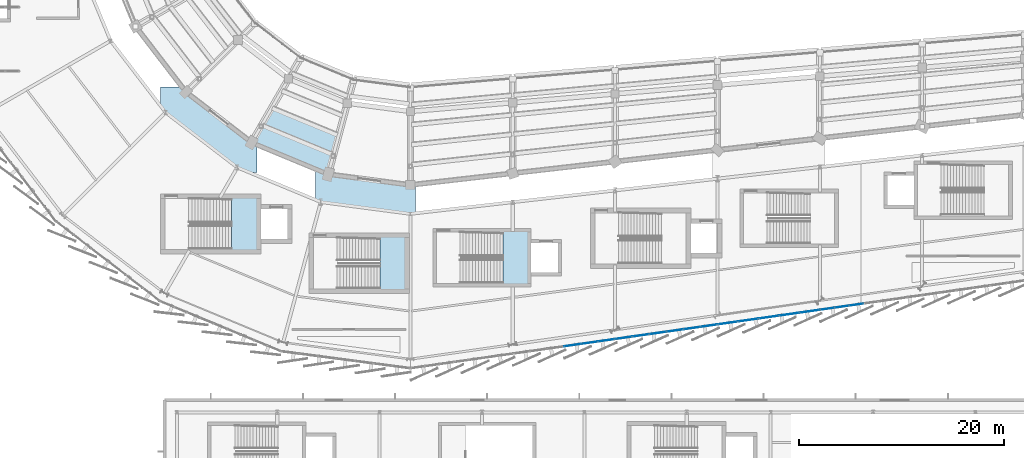
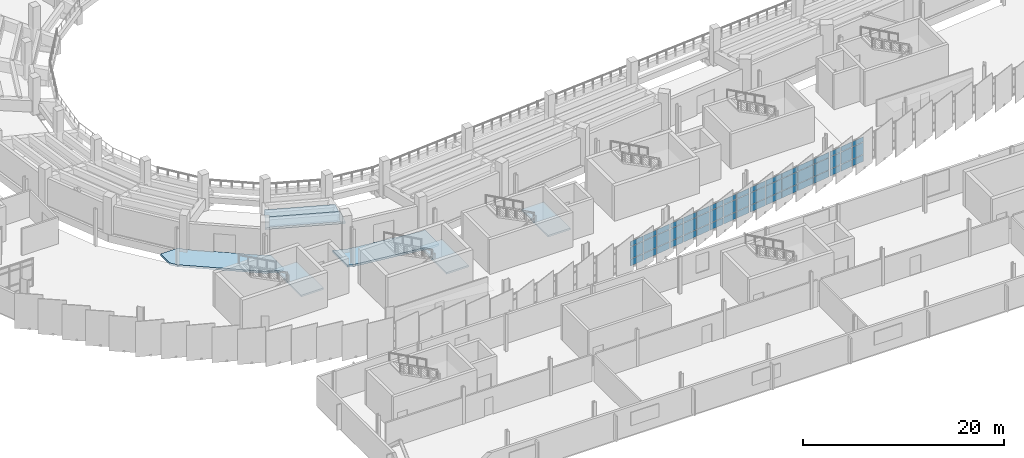
# One storey, part 80 of 120: 51 plates, 7 slabs, 7 elements without a shape of their own.
"""IFC4 building model written with IfcOpenShell, lengths in metres."""

from ifc_helpers import new_model, si_unit, direction, frame, origin, origin_2d, place, context, subcontext, project, spatial, polyline, rectangle, outline, extrude, material, layer, layer_set, type_object, element, aggregate, save


model = new_model("IFC4")

# Units and contexts
model_context = context("Model", 3, precision=1e-05, world=origin(), true_north=direction((0.0, 1.0)))
body_context = subcontext(model_context, "Body", "Model", "MODEL_VIEW")
ifc_project = project(units=[si_unit("LENGTHUNIT", "METRE"), si_unit("AREAUNIT", "SQUARE_METRE"), si_unit("VOLUMEUNIT", "CUBIC_METRE"), si_unit("PLANEANGLEUNIT", "RADIAN"), si_unit("MASSUNIT", "GRAM", prefix="KILO")], contexts=[model_context])

# Site, building, storey
site_placement = place(None, origin())
site = spatial("IfcSite", under=ifc_project, at=site_placement, CompositionType="ELEMENT")
building_placement = place(site_placement, origin())
building = spatial("IfcBuilding", under=site, at=building_placement, Name="Sohan Crest Arena", CompositionType="ELEMENT")
storey_placement = place(building_placement, frame((0.0, 0.0, 13.5)))
storey = spatial("IfcBuildingStorey", under=building, at=storey_placement, Name="L03", CompositionType="ELEMENT", Elevation=13.5)

# Curtain wall, plates
ifc_material_1 = material(Name="Thermally broken anodised aluminium", Category="aluminium")
ifc_layer_1 = layer(ifc_material_1, 0.18994140625, Name="Thermally broken anodised aluminium")
ifc_layer_set_1 = layer_set([ifc_layer_1], Name="Thermally broken anodised aluminium")
curtain_wall_type_1 = type_object("IfcCurtainWallType", Name="ARC-CW05", PredefinedType="NOTDEFINED", material=ifc_layer_set_1)
curtain_wall_1_placement = place(storey_placement, origin())
curtain_wall_1 = element("IfcCurtainWall", 1, at=curtain_wall_1_placement, inside=storey, type_object=curtain_wall_type_1, Name="Unitised curtain wall CW-094", PredefinedType="NOTDEFINED")
ifc_material_2 = material(Name="Low-E double-glazed insulated glass", Category="glass")
ifc_layer_2 = layer(ifc_material_2, 0.028076171875, Name="Low-E double-glazed insulated glass")
ifc_layer_set_2 = layer_set([ifc_layer_2], Name="Low-E double-glazed insulated glass")
plate_type_1 = type_object("IfcPlateType", Name="ARC-CNP01", PredefinedType="CURTAIN_PANEL", material=ifc_layer_set_2)
plate_1_placement = place(storey_placement, frame((138.729248046875, 34.918212890625, 0.06494140625), z_axis=(0.0, 0.0, 1.0), x_axis=(0.989943553128, 0.141462933734, 0.0)))
plate_1 = element("IfcPlate", 2, at=plate_1_placement, type_object=plate_type_1, Name="CW-094 panel 1.1", PredefinedType="CURTAIN_PANEL", context=body_context, shape_type="SweptSolid", body=[
    extrude(rectangle(XDim=1.35302734375, YDim=0.028076171875, at=origin_2d()), origin(), (0.0, 0.0, 1.0), 0.802490234375),
])
plate_2_placement = place(storey_placement, frame((138.729248046875, 34.918212890625, 0.932373046875), z_axis=(0.0, 0.0, 1.0), x_axis=(0.989943553128, 0.141462933734, 0.0)))
plate_2 = element("IfcPlate", 3, at=plate_2_placement, type_object=plate_type_1, Name="CW-094 panel 1.2", PredefinedType="CURTAIN_PANEL", context=body_context, shape_type="SweptSolid", body=[
    extrude(rectangle(XDim=1.35302734375, YDim=0.028076171875, at=origin_2d()), origin(), (0.0, 0.0, 1.0), 1.455078125),
])
plate_3_placement = place(storey_placement, frame((138.729248046875, 34.918212890625, 2.452392578125), z_axis=(0.0, 0.0, 1.0), x_axis=(0.989943553128, 0.141462933734, 0.0)))
plate_3 = element("IfcPlate", 4, at=plate_3_placement, type_object=plate_type_1, Name="CW-094 panel 1.3", PredefinedType="CURTAIN_PANEL", context=body_context, shape_type="SweptSolid", body=[
    extrude(rectangle(XDim=1.35302734375, YDim=0.028076171875, at=origin_2d()), origin(), (0.0, 0.0, 1.0), 0.6025390625),
])
plate_4_placement = place(storey_placement, frame((140.142822265625, 35.1201171875, 0.06494140625), z_axis=(0.0, 0.0, 1.0), x_axis=(0.989943553128, 0.141462933734, 0.0)))
plate_4 = element("IfcPlate", 5, at=plate_4_placement, type_object=plate_type_1, Name="CW-094 panel 2.1", PredefinedType="CURTAIN_PANEL", context=body_context, shape_type="SweptSolid", body=[
    extrude(rectangle(XDim=1.383056640625, YDim=0.028076171875, at=origin_2d()), origin(), (0.0, 0.0, 1.0), 0.802490234375),
])
plate_5_placement = place(storey_placement, frame((140.142822265625, 35.1201171875, 0.932373046875), z_axis=(0.0, 0.0, 1.0), x_axis=(0.989943553128, 0.141462933734, 0.0)))
plate_5 = element("IfcPlate", 6, at=plate_5_placement, type_object=plate_type_1, Name="CW-094 panel 2.2", PredefinedType="CURTAIN_PANEL", context=body_context, shape_type="SweptSolid", body=[
    extrude(rectangle(XDim=1.383056640625, YDim=0.028076171875, at=origin_2d()), origin(), (0.0, 0.0, 1.0), 1.455078125),
])
plate_6_placement = place(storey_placement, frame((140.142822265625, 35.1201171875, 2.452392578125), z_axis=(0.0, 0.0, 1.0), x_axis=(0.989943553128, 0.141462933734, 0.0)))
plate_6 = element("IfcPlate", 7, at=plate_6_placement, type_object=plate_type_1, Name="CW-094 panel 2.3", PredefinedType="CURTAIN_PANEL", context=body_context, shape_type="SweptSolid", body=[
    extrude(rectangle(XDim=1.383056640625, YDim=0.028076171875, at=origin_2d()), origin(), (0.0, 0.0, 1.0), 0.6025390625),
])
plate_7_placement = place(storey_placement, frame((141.571533203125, 35.324462890625, 0.06494140625), z_axis=(0.0, 0.0, 1.0), x_axis=(0.989943553128, 0.141462933734, 0.0)))
plate_7 = element("IfcPlate", 8, at=plate_7_placement, type_object=plate_type_1, Name="CW-094 panel 3.1", PredefinedType="CURTAIN_PANEL", context=body_context, shape_type="SweptSolid", body=[
    extrude(rectangle(XDim=1.383056640625, YDim=0.028076171875, at=origin_2d()), origin(), (0.0, 0.0, 1.0), 0.802490234375),
])
plate_8_placement = place(storey_placement, frame((141.571533203125, 35.324462890625, 0.932373046875), z_axis=(0.0, 0.0, 1.0), x_axis=(0.989943553128, 0.141462933734, 0.0)))
plate_8 = element("IfcPlate", 9, at=plate_8_placement, type_object=plate_type_1, Name="CW-094 panel 3.2", PredefinedType="CURTAIN_PANEL", context=body_context, shape_type="SweptSolid", body=[
    extrude(rectangle(XDim=1.383056640625, YDim=0.028076171875, at=origin_2d()), origin(), (0.0, 0.0, 1.0), 1.455078125),
])
plate_9_placement = place(storey_placement, frame((141.571533203125, 35.324462890625, 2.452392578125), z_axis=(0.0, 0.0, 1.0), x_axis=(0.989943553128, 0.141462933734, 0.0)))
plate_9 = element("IfcPlate", 10, at=plate_9_placement, type_object=plate_type_1, Name="CW-094 panel 3.3", PredefinedType="CURTAIN_PANEL", context=body_context, shape_type="SweptSolid", body=[
    extrude(rectangle(XDim=1.383056640625, YDim=0.028076171875, at=origin_2d()), origin(), (0.0, 0.0, 1.0), 0.6025390625),
])
aggregate(curtain_wall_1, [plate_1, plate_2, plate_3, plate_4, plate_5, plate_6, plate_7, plate_8, plate_9])

ifc_layer_3 = layer(ifc_material_1, 0.199951171875, Name="Thermally broken anodised aluminium")
ifc_layer_set_3 = layer_set([ifc_layer_3], Name="Thermally broken anodised aluminium")
curtain_wall_type_2 = type_object("IfcCurtainWallType", Name="ARC-CW02", PredefinedType="NOTDEFINED", material=ifc_layer_set_3)
curtain_wall_2_placement = place(storey_placement, origin())
curtain_wall_2 = element("IfcCurtainWall", 11, at=curtain_wall_2_placement, inside=storey, type_object=curtain_wall_type_2, Name="Unitised curtain wall CW-091", PredefinedType="NOTDEFINED")
ifc_layer_4 = layer(ifc_material_2, 0.031982421875, Name="Low-E double-glazed insulated glass")
ifc_layer_set_4 = layer_set([ifc_layer_4], Name="Low-E double-glazed insulated glass")
plate_type_2 = type_object("IfcPlateType", Name="ARC-CNP02", PredefinedType="CURTAIN_PANEL", material=ifc_layer_set_4)
plate_10_placement = place(storey_placement, frame((113.833251953125, 31.362060546875, 0.06494140625), z_axis=(0.0, 0.0, 1.0), x_axis=(0.989957411768, 0.141365918403, 0.0)))
plate_10 = element("IfcPlate", 12, at=plate_10_placement, type_object=plate_type_2, Name="CW-091 panel 4.1", PredefinedType="CURTAIN_PANEL", context=body_context, shape_type="SweptSolid", body=[
    extrude(rectangle(XDim=1.61865234375, YDim=0.031982421875, at=origin_2d()), origin(), (0.0, 0.0, 1.0), 0.802490234375),
])
plate_11_placement = place(storey_placement, frame((113.833251953125, 31.362060546875, 0.932373046875), z_axis=(0.0, 0.0, 1.0), x_axis=(0.989957411768, 0.141365918403, 0.0)))
plate_11 = element("IfcPlate", 13, at=plate_11_placement, type_object=plate_type_2, Name="CW-091 panel 4.2", PredefinedType="CURTAIN_PANEL", context=body_context, shape_type="SweptSolid", body=[
    extrude(rectangle(XDim=1.61865234375, YDim=0.031982421875, at=origin_2d()), origin(), (0.0, 0.0, 1.0), 1.455078125),
])
plate_12_placement = place(storey_placement, frame((113.833251953125, 31.362060546875, 2.452392578125), z_axis=(0.0, 0.0, 1.0), x_axis=(0.989957411768, 0.141365918403, 0.0)))
plate_12 = element("IfcPlate", 14, at=plate_12_placement, type_object=plate_type_2, Name="CW-091 panel 4.3", PredefinedType="CURTAIN_PANEL", context=body_context, shape_type="SweptSolid", body=[
    extrude(rectangle(XDim=1.61865234375, YDim=0.031982421875, at=origin_2d()), origin(), (0.0, 0.0, 1.0), 0.6025390625),
])
plate_13_placement = place(storey_placement, frame((115.5, 31.60009765625, 0.06494140625), z_axis=(0.0, 0.0, 1.0), x_axis=(0.989957411768, 0.141365918403, 0.0)))
plate_13 = element("IfcPlate", 15, at=plate_13_placement, type_object=plate_type_2, Name="CW-091 panel 5.1", PredefinedType="CURTAIN_PANEL", context=body_context, shape_type="SweptSolid", body=[
    extrude(rectangle(XDim=1.61865234375, YDim=0.031982421875, at=origin_2d()), origin(), (0.0, 0.0, 1.0), 0.802490234375),
])
plate_14_placement = place(storey_placement, frame((115.5, 31.60009765625, 0.932373046875), z_axis=(0.0, 0.0, 1.0), x_axis=(0.989957411768, 0.141365918403, 0.0)))
plate_14 = element("IfcPlate", 16, at=plate_14_placement, type_object=plate_type_2, Name="CW-091 panel 5.2", PredefinedType="CURTAIN_PANEL", context=body_context, shape_type="SweptSolid", body=[
    extrude(rectangle(XDim=1.61865234375, YDim=0.031982421875, at=origin_2d()), origin(), (0.0, 0.0, 1.0), 1.455078125),
])
plate_15_placement = place(storey_placement, frame((115.5, 31.60009765625, 2.452392578125), z_axis=(0.0, 0.0, 1.0), x_axis=(0.989957411768, 0.141365918403, 0.0)))
plate_15 = element("IfcPlate", 17, at=plate_15_placement, type_object=plate_type_2, Name="CW-091 panel 5.3", PredefinedType="CURTAIN_PANEL", context=body_context, shape_type="SweptSolid", body=[
    extrude(rectangle(XDim=1.61865234375, YDim=0.031982421875, at=origin_2d()), origin(), (0.0, 0.0, 1.0), 0.6025390625),
])
plate_16_placement = place(storey_placement, frame((117.150634765625, 31.835693359375, 0.06494140625), z_axis=(0.0, 0.0, 1.0), x_axis=(0.989957411768, 0.141365918403, 0.0)))
plate_16 = element("IfcPlate", 18, at=plate_16_placement, type_object=plate_type_2, Name="CW-091 panel 6.1", PredefinedType="CURTAIN_PANEL", context=body_context, shape_type="SweptSolid", body=[
    extrude(rectangle(XDim=1.586181640625, YDim=0.031982421875, at=origin_2d()), origin(), (0.0, 0.0, 1.0), 0.802490234375),
])
plate_17_placement = place(storey_placement, frame((117.150634765625, 31.835693359375, 0.932373046875), z_axis=(0.0, 0.0, 1.0), x_axis=(0.989957411768, 0.141365918403, 0.0)))
plate_17 = element("IfcPlate", 19, at=plate_17_placement, type_object=plate_type_2, Name="CW-091 panel 6.2", PredefinedType="CURTAIN_PANEL", context=body_context, shape_type="SweptSolid", body=[
    extrude(rectangle(XDim=1.586181640625, YDim=0.031982421875, at=origin_2d()), origin(), (0.0, 0.0, 1.0), 1.455078125),
])
plate_18_placement = place(storey_placement, frame((117.150634765625, 31.835693359375, 2.452392578125), z_axis=(0.0, 0.0, 1.0), x_axis=(0.989957411768, 0.141365918403, 0.0)))
plate_18 = element("IfcPlate", 20, at=plate_18_placement, type_object=plate_type_2, Name="CW-091 panel 6.3", PredefinedType="CURTAIN_PANEL", context=body_context, shape_type="SweptSolid", body=[
    extrude(rectangle(XDim=1.586181640625, YDim=0.031982421875, at=origin_2d()), origin(), (0.0, 0.0, 1.0), 0.6025390625),
])
aggregate(curtain_wall_2, [plate_10, plate_11, plate_12, plate_13, plate_14, plate_15, plate_16, plate_17, plate_18])

ifc_layer_5 = layer(ifc_material_1, 0.219970703125, Name="Thermally broken anodised aluminium")
ifc_layer_set_5 = layer_set([ifc_layer_5], Name="Thermally broken anodised aluminium")
curtain_wall_type_3 = type_object("IfcCurtainWallType", Name="ARC-CW03", PredefinedType="NOTDEFINED", material=ifc_layer_set_5)
curtain_wall_3_placement = place(storey_placement, origin())
curtain_wall_3 = element("IfcCurtainWall", 21, at=curtain_wall_3_placement, inside=storey, type_object=curtain_wall_type_3, Name="Unitised curtain wall CW-092", PredefinedType="NOTDEFINED")
ifc_material_3 = material(Name="Ceramic-fritted solar-control insulated glass", Category="glass")
ifc_layer_6 = layer(ifc_material_3, 0.035888671875, Name="Ceramic-fritted solar-control insulated glass")
ifc_layer_set_6 = layer_set([ifc_layer_6], Name="Ceramic-fritted solar-control insulated glass")
plate_type_3 = type_object("IfcPlateType", Name="ARC-CNP03", PredefinedType="CURTAIN_PANEL", material=ifc_layer_set_6)
plate_19_placement = place(storey_placement, frame((118.8505859375, 32.07861328125, 0.070068359375), z_axis=(0.0, 0.0, 1.0), x_axis=(0.989943553128, 0.141462933734, 0.0)))
plate_19 = element("IfcPlate", 22, at=plate_19_placement, type_object=plate_type_3, Name="CW-092 panel 1.1", PredefinedType="CURTAIN_PANEL", context=body_context, shape_type="SweptSolid", body=[
    extrude(rectangle(XDim=1.57861328125, YDim=0.035888671875, at=origin_2d()), origin(), (0.0, 0.0, 1.0), 0.794921875),
])
plate_20_placement = place(storey_placement, frame((118.8505859375, 32.07861328125, 0.93505859375), z_axis=(0.0, 0.0, 1.0), x_axis=(0.989943553128, 0.141462933734, 0.0)))
plate_20 = element("IfcPlate", 23, at=plate_20_placement, type_object=plate_type_3, Name="CW-092 panel 1.2", PredefinedType="CURTAIN_PANEL", context=body_context, shape_type="SweptSolid", body=[
    extrude(rectangle(XDim=1.57861328125, YDim=0.035888671875, at=origin_2d()), origin(), (0.0, 0.0, 1.0), 1.449951171875),
])
plate_21_placement = place(storey_placement, frame((118.8505859375, 32.07861328125, 2.455078125), z_axis=(0.0, 0.0, 1.0), x_axis=(0.989943553128, 0.141462933734, 0.0)))
plate_21 = element("IfcPlate", 24, at=plate_21_placement, type_object=plate_type_3, Name="CW-092 panel 1.3", PredefinedType="CURTAIN_PANEL", context=body_context, shape_type="SweptSolid", body=[
    extrude(rectangle(XDim=1.57861328125, YDim=0.035888671875, at=origin_2d()), origin(), (0.0, 0.0, 1.0), 0.594970703125),
])
plate_22_placement = place(storey_placement, frame((120.5, 32.314208984375, 0.070068359375), z_axis=(0.0, 0.0, 1.0), x_axis=(0.989943553128, 0.141462933734, 0.0)))
plate_22 = element("IfcPlate", 25, at=plate_22_placement, type_object=plate_type_3, Name="CW-092 panel 2.1", PredefinedType="CURTAIN_PANEL", context=body_context, shape_type="SweptSolid", body=[
    extrude(rectangle(XDim=1.613525390625, YDim=0.035888671875, at=origin_2d()), origin(), (0.0, 0.0, 1.0), 0.794921875),
])
plate_23_placement = place(storey_placement, frame((120.5, 32.314208984375, 0.93505859375), z_axis=(0.0, 0.0, 1.0), x_axis=(0.989943553128, 0.141462933734, 0.0)))
plate_23 = element("IfcPlate", 26, at=plate_23_placement, type_object=plate_type_3, Name="CW-092 panel 2.2", PredefinedType="CURTAIN_PANEL", context=body_context, shape_type="SweptSolid", body=[
    extrude(rectangle(XDim=1.613525390625, YDim=0.035888671875, at=origin_2d()), origin(), (0.0, 0.0, 1.0), 1.449951171875),
])
plate_24_placement = place(storey_placement, frame((120.5, 32.314208984375, 2.455078125), z_axis=(0.0, 0.0, 1.0), x_axis=(0.989943553128, 0.141462933734, 0.0)))
plate_24 = element("IfcPlate", 27, at=plate_24_placement, type_object=plate_type_3, Name="CW-092 panel 2.3", PredefinedType="CURTAIN_PANEL", context=body_context, shape_type="SweptSolid", body=[
    extrude(rectangle(XDim=1.613525390625, YDim=0.035888671875, at=origin_2d()), origin(), (0.0, 0.0, 1.0), 0.594970703125),
])
plate_25_placement = place(storey_placement, frame((122.166748046875, 32.552490234375, 0.070068359375), z_axis=(0.0, 0.0, 1.0), x_axis=(0.989943553128, 0.141462933734, 0.0)))
plate_25 = element("IfcPlate", 28, at=plate_25_placement, type_object=plate_type_3, Name="CW-092 panel 3.1", PredefinedType="CURTAIN_PANEL", context=body_context, shape_type="SweptSolid", body=[
    extrude(rectangle(XDim=1.613525390625, YDim=0.035888671875, at=origin_2d()), origin(), (0.0, 0.0, 1.0), 0.794921875),
])
plate_26_placement = place(storey_placement, frame((122.166748046875, 32.552490234375, 0.93505859375), z_axis=(0.0, 0.0, 1.0), x_axis=(0.989943553128, 0.141462933734, 0.0)))
plate_26 = element("IfcPlate", 29, at=plate_26_placement, type_object=plate_type_3, Name="CW-092 panel 3.2", PredefinedType="CURTAIN_PANEL", context=body_context, shape_type="SweptSolid", body=[
    extrude(rectangle(XDim=1.613525390625, YDim=0.035888671875, at=origin_2d()), origin(), (0.0, 0.0, 1.0), 1.449951171875),
])
plate_27_placement = place(storey_placement, frame((122.166748046875, 32.552490234375, 2.455078125), z_axis=(0.0, 0.0, 1.0), x_axis=(0.989943553128, 0.141462933734, 0.0)))
plate_27 = element("IfcPlate", 30, at=plate_27_placement, type_object=plate_type_3, Name="CW-092 panel 3.3", PredefinedType="CURTAIN_PANEL", context=body_context, shape_type="SweptSolid", body=[
    extrude(rectangle(XDim=1.613525390625, YDim=0.035888671875, at=origin_2d()), origin(), (0.0, 0.0, 1.0), 0.594970703125),
])
plate_28_placement = place(storey_placement, frame((123.833251953125, 32.79052734375, 0.070068359375), z_axis=(0.0, 0.0, 1.0), x_axis=(0.989943553128, 0.141462933734, 0.0)))
plate_28 = element("IfcPlate", 31, at=plate_28_placement, type_object=plate_type_3, Name="CW-092 panel 4.1", PredefinedType="CURTAIN_PANEL", context=body_context, shape_type="SweptSolid", body=[
    extrude(rectangle(XDim=1.613525390625, YDim=0.035888671875, at=origin_2d()), origin(), (0.0, 0.0, 1.0), 0.794921875),
])
plate_29_placement = place(storey_placement, frame((123.833251953125, 32.79052734375, 0.93505859375), z_axis=(0.0, 0.0, 1.0), x_axis=(0.989943553128, 0.141462933734, 0.0)))
plate_29 = element("IfcPlate", 32, at=plate_29_placement, type_object=plate_type_3, Name="CW-092 panel 4.2", PredefinedType="CURTAIN_PANEL", context=body_context, shape_type="SweptSolid", body=[
    extrude(rectangle(XDim=1.613525390625, YDim=0.035888671875, at=origin_2d()), origin(), (0.0, 0.0, 1.0), 1.449951171875),
])
plate_30_placement = place(storey_placement, frame((123.833251953125, 32.79052734375, 2.455078125), z_axis=(0.0, 0.0, 1.0), x_axis=(0.989943553128, 0.141462933734, 0.0)))
plate_30 = element("IfcPlate", 33, at=plate_30_placement, type_object=plate_type_3, Name="CW-092 panel 4.3", PredefinedType="CURTAIN_PANEL", context=body_context, shape_type="SweptSolid", body=[
    extrude(rectangle(XDim=1.613525390625, YDim=0.035888671875, at=origin_2d()), origin(), (0.0, 0.0, 1.0), 0.594970703125),
])
plate_31_placement = place(storey_placement, frame((125.5, 33.02880859375, 0.070068359375), z_axis=(0.0, 0.0, 1.0), x_axis=(0.989943553128, 0.141462933734, 0.0)))
plate_31 = element("IfcPlate", 34, at=plate_31_placement, type_object=plate_type_3, Name="CW-092 panel 5.1", PredefinedType="CURTAIN_PANEL", context=body_context, shape_type="SweptSolid", body=[
    extrude(rectangle(XDim=1.613525390625, YDim=0.035888671875, at=origin_2d()), origin(), (0.0, 0.0, 1.0), 0.794921875),
])
plate_32_placement = place(storey_placement, frame((125.5, 33.02880859375, 0.93505859375), z_axis=(0.0, 0.0, 1.0), x_axis=(0.989943553128, 0.141462933734, 0.0)))
plate_32 = element("IfcPlate", 35, at=plate_32_placement, type_object=plate_type_3, Name="CW-092 panel 5.2", PredefinedType="CURTAIN_PANEL", context=body_context, shape_type="SweptSolid", body=[
    extrude(rectangle(XDim=1.613525390625, YDim=0.035888671875, at=origin_2d()), origin(), (0.0, 0.0, 1.0), 1.449951171875),
])
plate_33_placement = place(storey_placement, frame((125.5, 33.02880859375, 2.455078125), z_axis=(0.0, 0.0, 1.0), x_axis=(0.989943553128, 0.141462933734, 0.0)))
plate_33 = element("IfcPlate", 36, at=plate_33_placement, type_object=plate_type_3, Name="CW-092 panel 5.3", PredefinedType="CURTAIN_PANEL", context=body_context, shape_type="SweptSolid", body=[
    extrude(rectangle(XDim=1.613525390625, YDim=0.035888671875, at=origin_2d()), origin(), (0.0, 0.0, 1.0), 0.594970703125),
])
plate_34_placement = place(storey_placement, frame((127.1494140625, 33.264404296875, 0.070068359375), z_axis=(0.0, 0.0, 1.0), x_axis=(0.989943553128, 0.141462933734, 0.0)))
plate_34 = element("IfcPlate", 37, at=plate_34_placement, type_object=plate_type_3, Name="CW-092 panel 6.1", PredefinedType="CURTAIN_PANEL", context=body_context, shape_type="SweptSolid", body=[
    extrude(rectangle(XDim=1.57861328125, YDim=0.035888671875, at=origin_2d()), origin(), (0.0, 0.0, 1.0), 0.794921875),
])
plate_35_placement = place(storey_placement, frame((127.1494140625, 33.264404296875, 0.93505859375), z_axis=(0.0, 0.0, 1.0), x_axis=(0.989943553128, 0.141462933734, 0.0)))
plate_35 = element("IfcPlate", 38, at=plate_35_placement, type_object=plate_type_3, Name="CW-092 panel 6.2", PredefinedType="CURTAIN_PANEL", context=body_context, shape_type="SweptSolid", body=[
    extrude(rectangle(XDim=1.57861328125, YDim=0.035888671875, at=origin_2d()), origin(), (0.0, 0.0, 1.0), 1.449951171875),
])
plate_36_placement = place(storey_placement, frame((127.1494140625, 33.264404296875, 2.455078125), z_axis=(0.0, 0.0, 1.0), x_axis=(0.989943553128, 0.141462933734, 0.0)))
plate_36 = element("IfcPlate", 39, at=plate_36_placement, type_object=plate_type_3, Name="CW-092 panel 6.3", PredefinedType="CURTAIN_PANEL", context=body_context, shape_type="SweptSolid", body=[
    extrude(rectangle(XDim=1.57861328125, YDim=0.035888671875, at=origin_2d()), origin(), (0.0, 0.0, 1.0), 0.594970703125),
])
aggregate(curtain_wall_3, [plate_19, plate_20, plate_21, plate_22, plate_23, plate_24, plate_25, plate_26, plate_27, plate_28, plate_29, plate_30, plate_31, plate_32, plate_33, plate_34, plate_35, plate_36])

ifc_layer_7 = layer(ifc_material_1, 0.239990234375, Name="Thermally broken anodised aluminium")
ifc_layer_set_7 = layer_set([ifc_layer_7], Name="Thermally broken anodised aluminium")
curtain_wall_type_4 = type_object("IfcCurtainWallType", Name="ARC-CW04", PredefinedType="NOTDEFINED", material=ifc_layer_set_7)
curtain_wall_4_placement = place(storey_placement, origin())
curtain_wall_4 = element("IfcCurtainWall", 40, at=curtain_wall_4_placement, inside=storey, type_object=curtain_wall_type_4, Name="Unitised curtain wall CW-093", PredefinedType="NOTDEFINED")
ifc_material_4 = material(Name="Insulated polychrome ceramic spandrel panel", Category="masonry")
ifc_layer_8 = layer(ifc_material_4, 0.0419921875, Name="Insulated polychrome ceramic spandrel panel")
ifc_layer_set_8 = layer_set([ifc_layer_8], Name="Insulated polychrome ceramic spandrel panel")
plate_type_4 = type_object("IfcPlateType", Name="ARC-CNP04", PredefinedType="CURTAIN_PANEL", material=ifc_layer_set_8)
plate_37_placement = place(storey_placement, frame((129.0185546875, 33.531494140625, 0.06005859375), z_axis=(0.0, 0.0, 1.0), x_axis=(0.989957411768, 0.141365918403, 0.0)))
plate_37 = element("IfcPlate", 41, at=plate_37_placement, type_object=plate_type_4, Name="CW-093 panel 1.1", PredefinedType="CURTAIN_PANEL", context=body_context, shape_type="SweptSolid", body=[
    extrude(rectangle(XDim=1.90771484375, YDim=0.0419921875, at=origin_2d()), origin(), (0.0, 0.0, 1.0), 0.81005859375),
])
plate_38_placement = place(storey_placement, frame((129.0185546875, 33.531494140625, 0.929931640625), z_axis=(0.0, 0.0, 1.0), x_axis=(0.989957411768, 0.141365918403, 0.0)))
plate_38 = element("IfcPlate", 42, at=plate_38_placement, type_object=plate_type_4, Name="CW-093 panel 1.2", PredefinedType="CURTAIN_PANEL", context=body_context, shape_type="SweptSolid", body=[
    extrude(rectangle(XDim=1.90771484375, YDim=0.0419921875, at=origin_2d()), origin(), (0.0, 0.0, 1.0), 1.4599609375),
])
plate_39_placement = place(storey_placement, frame((129.0185546875, 33.531494140625, 2.44970703125), z_axis=(0.0, 0.0, 1.0), x_axis=(0.989957411768, 0.141365918403, 0.0)))
plate_39 = element("IfcPlate", 43, at=plate_39_placement, type_object=plate_type_4, Name="CW-093 panel 1.3", PredefinedType="CURTAIN_PANEL", context=body_context, shape_type="SweptSolid", body=[
    extrude(rectangle(XDim=1.90771484375, YDim=0.0419921875, at=origin_2d()), origin(), (0.0, 0.0, 1.0), 0.610107421875),
])
plate_40_placement = place(storey_placement, frame((131.0, 33.814453125, 0.06005859375), z_axis=(0.0, 0.0, 1.0), x_axis=(0.989957411768, 0.141365918403, 0.0)))
plate_40 = element("IfcPlate", 44, at=plate_40_placement, type_object=plate_type_4, Name="CW-093 panel 2.1", PredefinedType="CURTAIN_PANEL", context=body_context, shape_type="SweptSolid", body=[
    extrude(rectangle(XDim=1.9453125, YDim=0.0419921875, at=origin_2d()), origin(), (0.0, 0.0, 1.0), 0.81005859375),
])
plate_41_placement = place(storey_placement, frame((131.0, 33.814453125, 0.929931640625), z_axis=(0.0, 0.0, 1.0), x_axis=(0.989957411768, 0.141365918403, 0.0)))
plate_41 = element("IfcPlate", 45, at=plate_41_placement, type_object=plate_type_4, Name="CW-093 panel 2.2", PredefinedType="CURTAIN_PANEL", context=body_context, shape_type="SweptSolid", body=[
    extrude(rectangle(XDim=1.9453125, YDim=0.0419921875, at=origin_2d()), origin(), (0.0, 0.0, 1.0), 1.4599609375),
])
plate_42_placement = place(storey_placement, frame((131.0, 33.814453125, 2.44970703125), z_axis=(0.0, 0.0, 1.0), x_axis=(0.989957411768, 0.141365918403, 0.0)))
plate_42 = element("IfcPlate", 46, at=plate_42_placement, type_object=plate_type_4, Name="CW-093 panel 2.3", PredefinedType="CURTAIN_PANEL", context=body_context, shape_type="SweptSolid", body=[
    extrude(rectangle(XDim=1.9453125, YDim=0.0419921875, at=origin_2d()), origin(), (0.0, 0.0, 1.0), 0.610107421875),
])
plate_43_placement = place(storey_placement, frame((133.0, 34.10009765625, 0.06005859375), z_axis=(0.0, 0.0, 1.0), x_axis=(0.989957411768, 0.141365918403, 0.0)))
plate_43 = element("IfcPlate", 47, at=plate_43_placement, type_object=plate_type_4, Name="CW-093 panel 3.1", PredefinedType="CURTAIN_PANEL", context=body_context, shape_type="SweptSolid", body=[
    extrude(rectangle(XDim=1.9453125, YDim=0.0419921875, at=origin_2d()), origin(), (0.0, 0.0, 1.0), 0.81005859375),
])
plate_44_placement = place(storey_placement, frame((133.0, 34.10009765625, 0.929931640625), z_axis=(0.0, 0.0, 1.0), x_axis=(0.989957411768, 0.141365918403, 0.0)))
plate_44 = element("IfcPlate", 48, at=plate_44_placement, type_object=plate_type_4, Name="CW-093 panel 3.2", PredefinedType="CURTAIN_PANEL", context=body_context, shape_type="SweptSolid", body=[
    extrude(rectangle(XDim=1.9453125, YDim=0.0419921875, at=origin_2d()), origin(), (0.0, 0.0, 1.0), 1.4599609375),
])
plate_45_placement = place(storey_placement, frame((133.0, 34.10009765625, 2.44970703125), z_axis=(0.0, 0.0, 1.0), x_axis=(0.989957411768, 0.141365918403, 0.0)))
plate_45 = element("IfcPlate", 49, at=plate_45_placement, type_object=plate_type_4, Name="CW-093 panel 3.3", PredefinedType="CURTAIN_PANEL", context=body_context, shape_type="SweptSolid", body=[
    extrude(rectangle(XDim=1.9453125, YDim=0.0419921875, at=origin_2d()), origin(), (0.0, 0.0, 1.0), 0.610107421875),
])
plate_46_placement = place(storey_placement, frame((135.0, 34.385498046875, 0.06005859375), z_axis=(0.0, 0.0, 1.0), x_axis=(0.989957411768, 0.141365918403, 0.0)))
plate_46 = element("IfcPlate", 50, at=plate_46_placement, type_object=plate_type_4, Name="CW-093 panel 4.1", PredefinedType="CURTAIN_PANEL", context=body_context, shape_type="SweptSolid", body=[
    extrude(rectangle(XDim=1.9453125, YDim=0.0419921875, at=origin_2d()), origin(), (0.0, 0.0, 1.0), 0.81005859375),
])
plate_47_placement = place(storey_placement, frame((135.0, 34.385498046875, 0.929931640625), z_axis=(0.0, 0.0, 1.0), x_axis=(0.989957411768, 0.141365918403, 0.0)))
plate_47 = element("IfcPlate", 51, at=plate_47_placement, type_object=plate_type_4, Name="CW-093 panel 4.2", PredefinedType="CURTAIN_PANEL", context=body_context, shape_type="SweptSolid", body=[
    extrude(rectangle(XDim=1.9453125, YDim=0.0419921875, at=origin_2d()), origin(), (0.0, 0.0, 1.0), 1.4599609375),
])
plate_48_placement = place(storey_placement, frame((135.0, 34.385498046875, 2.44970703125), z_axis=(0.0, 0.0, 1.0), x_axis=(0.989957411768, 0.141365918403, 0.0)))
plate_48 = element("IfcPlate", 52, at=plate_48_placement, type_object=plate_type_4, Name="CW-093 panel 4.3", PredefinedType="CURTAIN_PANEL", context=body_context, shape_type="SweptSolid", body=[
    extrude(rectangle(XDim=1.9453125, YDim=0.0419921875, at=origin_2d()), origin(), (0.0, 0.0, 1.0), 0.610107421875),
])
plate_49_placement = place(storey_placement, frame((136.9814453125, 34.66845703125, 0.06005859375), z_axis=(0.0, 0.0, 1.0), x_axis=(0.989957411768, 0.141365918403, 0.0)))
plate_49 = element("IfcPlate", 53, at=plate_49_placement, type_object=plate_type_4, Name="CW-093 panel 5.1", PredefinedType="CURTAIN_PANEL", context=body_context, shape_type="SweptSolid", body=[
    extrude(rectangle(XDim=1.90771484375, YDim=0.0419921875, at=origin_2d()), origin(), (0.0, 0.0, 1.0), 0.81005859375),
])
plate_50_placement = place(storey_placement, frame((136.9814453125, 34.66845703125, 0.929931640625), z_axis=(0.0, 0.0, 1.0), x_axis=(0.989957411768, 0.141365918403, 0.0)))
plate_50 = element("IfcPlate", 54, at=plate_50_placement, type_object=plate_type_4, Name="CW-093 panel 5.2", PredefinedType="CURTAIN_PANEL", context=body_context, shape_type="SweptSolid", body=[
    extrude(rectangle(XDim=1.90771484375, YDim=0.0419921875, at=origin_2d()), origin(), (0.0, 0.0, 1.0), 1.4599609375),
])
plate_51_placement = place(storey_placement, frame((136.9814453125, 34.66845703125, 2.44970703125), z_axis=(0.0, 0.0, 1.0), x_axis=(0.989957411768, 0.141365918403, 0.0)))
plate_51 = element("IfcPlate", 55, at=plate_51_placement, type_object=plate_type_4, Name="CW-093 panel 5.3", PredefinedType="CURTAIN_PANEL", context=body_context, shape_type="SweptSolid", body=[
    extrude(rectangle(XDim=1.90771484375, YDim=0.0419921875, at=origin_2d()), origin(), (0.0, 0.0, 1.0), 0.610107421875),
])
aggregate(curtain_wall_4, [plate_37, plate_38, plate_39, plate_40, plate_41, plate_42, plate_43, plate_44, plate_45, plate_46, plate_47, plate_48, plate_49, plate_50, plate_51])

# Slabs
ifc_material_5 = material(Name="Concrete C40/50", Category="concrete")
ifc_layer_9 = layer(ifc_material_5, 0.25, Name="Concrete C40/50")
ifc_layer_set_9 = layer_set([ifc_layer_9], Name="Concrete C40/50")
slab_type_1 = type_object("IfcSlabType", Name="SL-FLR3", PredefinedType="FLOOR", material=ifc_layer_set_9)
slab_1_placement = place(storey_placement, frame((0.0, 0.0, -0.25)))
element("IfcSlab", 56, at=slab_1_placement, inside=storey, type_object=slab_type_1, Name="Seismic joint threshold slab L03 SL-TH-L03-09", PredefinedType="FLOOR", context=body_context, shape_type="SweptSolid", body=[
    extrude(outline(polyline([(81.10009765625, 48.72802734375), (74.10009765625, 54.10009765625), (73.60009765625, 54.751953125), (73.60009765625, 56.580078125), (75.696044921875, 56.580078125), (76.080078125, 56.080078125), (82.5, 51.153076171875), (83.0, 50.946044921875), (83.0, 48.22802734375), (82.306884765625, 48.22802734375), (81.10009765625, 48.72802734375)])), origin(), (0.0, 0.0, 1.0), 0.25),
])
slab_2_placement = place(storey_placement, frame((0.0, 0.0, -0.25)))
element("IfcSlab", 57, at=slab_2_placement, inside=storey, type_object=slab_type_1, Name="Seismic joint threshold slab L03 SL-TH-L03-11", PredefinedType="FLOOR", context=body_context, shape_type="SweptSolid", body=[
    extrude(outline(polyline([(98.0, 44.199951171875), (89.251953125, 45.35205078125), (88.751953125, 45.55908203125), (88.751953125, 48.555908203125), (88.77001953125, 48.555908203125), (89.97705078125, 48.055908203125), (98.0, 47.0), (98.5, 47.056884765625), (98.5, 44.257080078125), (98.0, 44.199951171875)])), origin(), (0.0, 0.0, 1.0), 0.25),
])

# Stair, slab
stair_type_1 = type_object("IfcStairType", Name="ST-450", PredefinedType="TWO_STRAIGHT_RUN_STAIR", material=ifc_material_5)
stair_1_placement = place(storey_placement, origin())
stair_1 = element("IfcStair", 58, at=stair_1_placement, inside=storey, type_object=stair_type_1, Name="Protected exit stair ST03-L03", PredefinedType="TWO_STRAIGHT_RUN_STAIR")
ifc_layer_10 = layer(ifc_material_5, 0.199951171875, Name="Concrete C40/50")
ifc_layer_set_10 = layer_set([ifc_layer_10], Name="Concrete C40/50")
slab_type_2 = type_object("IfcSlabType", Name="SL-LND1", PredefinedType="LANDING", material=ifc_layer_set_10)
slab_3_placement = place(storey_placement, frame((0.0, 0.0, 2.050048828125)))
slab_3 = element("IfcSlab", 59, at=slab_3_placement, type_object=slab_type_2, Name="ST03-L03 landing 1", PredefinedType="LANDING", context=body_context, shape_type="SweptSolid", body=[
    extrude(outline(polyline([(80.530029296875, 40.550048828125), (83.10009765625, 40.550048828125), (83.10009765625, 45.85009765625), (80.530029296875, 45.85009765625), (80.530029296875, 40.550048828125)])), origin(), (0.0, 0.0, 1.0), 0.199951171875),
])
aggregate(stair_1, [slab_3])

stair_2_placement = place(storey_placement, origin())
stair_2 = element("IfcStair", 60, at=stair_2_placement, inside=storey, type_object=stair_type_1, Name="Protected exit stair ST05-L03", PredefinedType="TWO_STRAIGHT_RUN_STAIR")
slab_4_placement = place(storey_placement, frame((0.0, 0.0, 2.050048828125)))
slab_4 = element("IfcSlab", 61, at=slab_4_placement, type_object=slab_type_2, Name="ST05-L03 landing 1", PredefinedType="LANDING", context=body_context, shape_type="SweptSolid", body=[
    extrude(outline(polyline([(107.030029296875, 37.25), (109.60009765625, 37.25), (109.60009765625, 42.550048828125), (107.030029296875, 42.550048828125), (107.030029296875, 37.25)])), origin(), (0.0, 0.0, 1.0), 0.199951171875),
])
aggregate(stair_2, [slab_4])

stair_type_2 = type_object("IfcStairType", Name="ST-450W", PredefinedType="TWO_STRAIGHT_RUN_STAIR", material=ifc_material_5)
stair_3_placement = place(storey_placement, origin())
stair_3 = element("IfcStair", 62, at=stair_3_placement, inside=storey, type_object=stair_type_2, Name="Protected exit stair ST19-L03", PredefinedType="TWO_STRAIGHT_RUN_STAIR")
slab_5_placement = place(storey_placement, frame((0.0, 0.0, 2.050048828125)))
slab_5 = element("IfcSlab", 63, at=slab_5_placement, type_object=slab_type_2, Name="ST19-L03 landing 1", PredefinedType="LANDING", context=body_context, shape_type="SweptSolid", body=[
    extrude(outline(polyline([(95.030029296875, 36.7099609375), (97.60009765625, 36.7099609375), (97.60009765625, 42.010009765625), (95.030029296875, 42.010009765625), (95.030029296875, 36.7099609375)])), origin(), (0.0, 0.0, 1.0), 0.199951171875),
])
aggregate(stair_3, [slab_5])

# Slabs
ifc_material_6 = material(Name="Precast concrete C50/60", Category="concrete")
ifc_layer_11 = layer(ifc_material_6, 0.235107421875, Name="Precast concrete C50/60")
ifc_layer_set_11 = layer_set([ifc_layer_11], Name="Precast concrete C50/60")
slab_type_3 = type_object("IfcSlabType", Name="SL-TIER3", PredefinedType="USERDEFINED", material=ifc_layer_set_11)
slab_6_placement = place(storey_placement, frame((0.0, 0.0, 2.591064453125)))
element("IfcSlab", 64, at=slab_6_placement, inside=storey, type_object=slab_type_3, Name="Upper cantilevered precast seating tier ST-UPP-091", ObjectType="SEATING TIER", PredefinedType="USERDEFINED", context=body_context, shape_type="SweptSolid", body=[
    extrude(outline(polyline([(84.39990234375, 54.548095703125), (90.9599609375, 51.843017578125), (90.488037109375, 50.02490234375), (83.488037109375, 52.91796875), (84.39990234375, 54.548095703125)])), origin(), (0.0, 0.0, 1.0), 0.23486328125),
])
slab_7_placement = place(storey_placement, frame((0.0, 0.0, 3.051025390625)))
element("IfcSlab", 65, at=slab_7_placement, inside=storey, type_object=slab_type_3, Name="Upper cantilevered precast seating tier ST-UPP-092", ObjectType="SEATING TIER", PredefinedType="USERDEFINED", context=body_context, shape_type="SweptSolid", body=[
    extrude(outline(polyline([(83.449951171875, 52.85107421875), (90.468994140625, 49.948974609375), (89.9970703125, 48.132080078125), (82.5380859375, 51.220947265625), (83.449951171875, 52.85107421875)])), origin(), (0.0, 0.0, 1.0), 0.23486328125),
])

save(model, "model.ifc")
